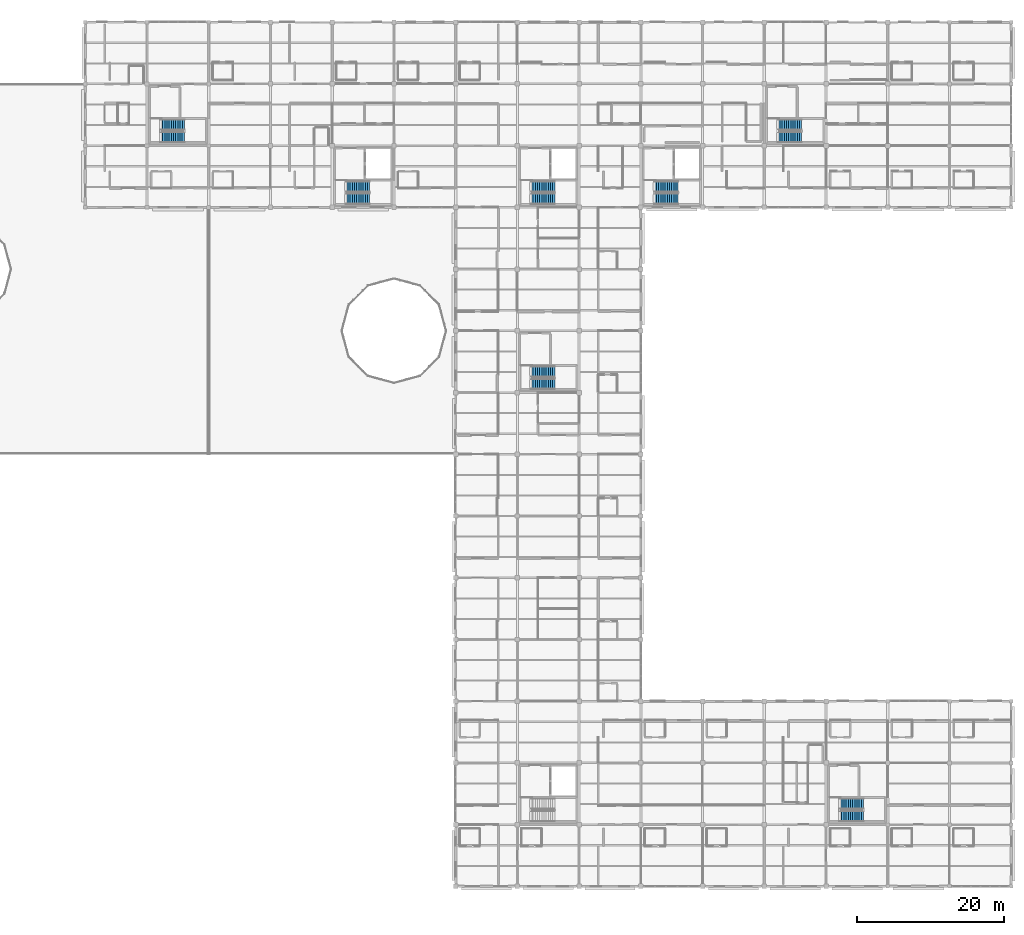
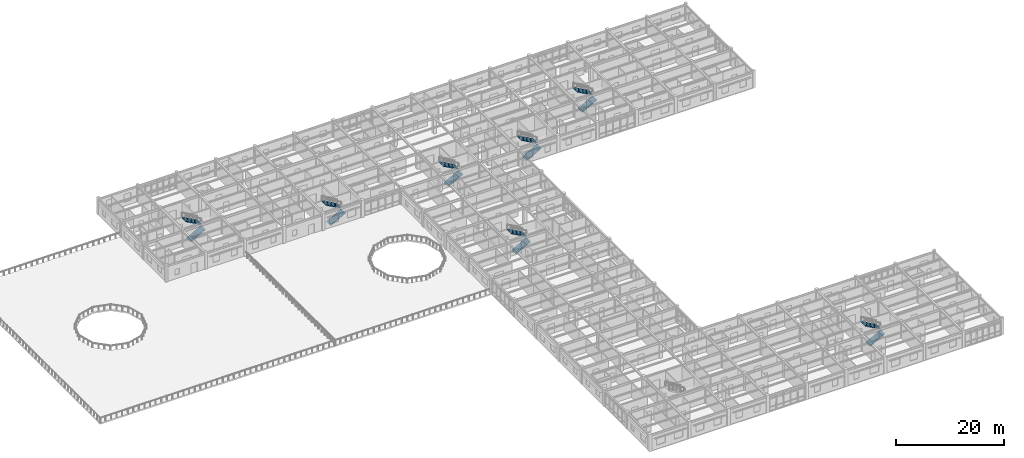
# One storey, part 71 of 86: 14 stair flights, 7 elements without a shape of their own.
"""IFC4 building model written with IfcOpenShell, lengths in metres."""

import ifcopenshell
import ifcopenshell.guid

model = None  # the IFC model being written
_history = None  # IfcOwnerHistory: only IFC2X3 demands one
_inside = {}  # id of a spatial element -> (the spatial element, [elements in it])
_under = {}  # id of a project, library or spatial element -> (it, [spatial elements below it])
_declared = {}  # id of a project -> (the project, [libraries it declares])
_typed = {}  # id of a type object -> (the type object, [elements of that type])
_made_of = {}  # id of a material, layer set ... -> (it, [elements and type objects made of it])


def new_model(schema):
    """Start an empty IFC model of exactly this schema.

    Asked for "IFC4X3", IfcOpenShell would pick the latest addendum, in which some entities
    have other attributes; the version numbers below select the first issue.
    IFC2X3 requires an IfcOwnerHistory on every rooted entity: one is made here for all.
    """
    global model, _history
    if schema == "IFC4X3":
        model = ifcopenshell.file(schema_version=(4, 3, 0, 0))
    else:
        model = ifcopenshell.file(schema=schema)
    _inside.clear()
    _under.clear()
    _declared.clear()
    _typed.clear()
    _made_of.clear()
    _history = None
    if model.schema == "IFC2X3":
        org = make("IfcOrganization", Name="unknown")
        user = make(
            "IfcPersonAndOrganization",
            ThePerson=make("IfcPerson", FamilyName="unknown"),
            TheOrganization=org,
        )
        app = make(
            "IfcApplication",
            ApplicationDeveloper=org,
            Version="unknown",
            ApplicationFullName="unknown",
            ApplicationIdentifier="unknown",
        )
        _history = make(
            "IfcOwnerHistory",
            OwningUser=user,
            OwningApplication=app,
            ChangeAction="ADDED",
            CreationDate=0,
        )
    return model


def make(cls, **values):
    """One entity of the class cls with the attributes given. An attribute that is None is left unset."""
    return model.create_entity(
        cls, **{name: value for name, value in values.items() if value is not None}
    )


def rooted(cls, **values):
    """An entity with a GlobalId (a new one), such as an element, a storey or a relation."""
    return make(cls, GlobalId=ifcopenshell.guid.new(), OwnerHistory=_history, **values)


def si_unit(unit_type, name, prefix=None):
    """IfcSIUnit, for example si_unit("LENGTHUNIT", "METRE", prefix="MILLI")."""
    return make("IfcSIUnit", UnitType=unit_type, Prefix=prefix, Name=name)


def assignment(units):
    """IfcUnitAssignment: the units of a project."""
    return None if units is None else make("IfcUnitAssignment", Units=units)


def point(xyz):
    """IfcCartesianPoint."""
    return None if xyz is None else make("IfcCartesianPoint", Coordinates=xyz)


def direction(xyz):
    """IfcDirection."""
    return None if xyz is None else make("IfcDirection", DirectionRatios=xyz)


def frame(location, z_axis=None, x_axis=None):
    """IfcAxis2Placement3D, a coordinate frame: its origin and axes. An axis left out is left unset."""
    return make(
        "IfcAxis2Placement3D",
        Location=point(location),
        Axis=direction(z_axis),
        RefDirection=direction(x_axis),
    )


def origin():
    """The frame at (0, 0, 0) with its axes left unset."""
    return frame((0.0, 0.0, 0.0))


def place(relative_to, where):
    """IfcLocalPlacement: puts the frame where relative to a parent placement (None: the world)."""
    return make(
        "IfcLocalPlacement", PlacementRelTo=relative_to, RelativePlacement=where
    )


def context(
    kind, dimensions, precision=None, world=None, true_north=None, identifier=None
):
    """IfcGeometricRepresentationContext, for example the 3D "Model" context."""
    return make(
        "IfcGeometricRepresentationContext",
        ContextIdentifier=identifier,
        ContextType=kind,
        CoordinateSpaceDimension=dimensions,
        Precision=precision,
        WorldCoordinateSystem=world,
        TrueNorth=true_north,
    )


def subcontext(parent, identifier, kind, view, scale=None):
    """IfcGeometricRepresentationSubContext, for example "Body" below "Model"."""
    return make(
        "IfcGeometricRepresentationSubContext",
        ContextIdentifier=identifier,
        ContextType=kind,
        ParentContext=parent,
        TargetScale=scale,
        TargetView=view,
    )


def project(units=None, contexts=None):
    """IfcProject with its units and contexts."""
    return rooted(
        "IfcProject",
        Name="project",
        RepresentationContexts=contexts,
        UnitsInContext=assignment(units),
    )


def spatial(cls, under=None, at=None, **own):
    """A site, building, storey or space (cls), placed at a placement, below another one or the project."""
    s = rooted(cls, ObjectPlacement=at, **own)
    if under is not None:
        _under.setdefault(under.id(), (under, []))[1].append(s)
    return s


def polyline(points):
    """IfcPolyline through the points."""
    return make("IfcPolyline", Points=[point(p) for p in points])


def outline(outer, holes=None, kind="AREA"):
    """IfcArbitraryClosedProfileDef: a profile drawn as a closed curve; with holes, ...WithVoids."""
    if holes is None:
        return make("IfcArbitraryClosedProfileDef", ProfileType=kind, OuterCurve=outer)
    return make(
        "IfcArbitraryProfileDefWithVoids",
        ProfileType=kind,
        OuterCurve=outer,
        InnerCurves=holes,
    )


def extrude(swept, where, along, depth):
    """IfcExtrudedAreaSolid: the profile swept, set in the frame where, extruded along a direction by depth."""
    return make(
        "IfcExtrudedAreaSolid",
        SweptArea=swept,
        Position=where,
        ExtrudedDirection=direction(along),
        Depth=depth,
    )


def shape(context_of_items, identifier, shape_type, items):
    """IfcShapeRepresentation: the items that make up one representation, for example the "Body"."""
    return make(
        "IfcShapeRepresentation",
        ContextOfItems=context_of_items,
        RepresentationIdentifier=identifier,
        RepresentationType=shape_type,
        Items=items,
    )


def material(Name=None, Category=None):
    """IfcMaterial."""
    return make("IfcMaterial", Name=Name, Category=Category)


def made_of(thing, what):
    """Note that an element or type object is made of a material, layer set ...; save() writes the relation."""
    if what is not None:
        _made_of.setdefault(what.id(), (what, []))[1].append(thing)
    return thing


def type_object(cls, material=None, **own):
    """A type object (cls), such as IfcWallType, which elements share."""
    return made_of(rooted(cls, **own), material)


def element(
    cls,
    number,
    at=None,
    inside=None,
    cuts=None,
    type_object=None,
    material=None,
    context=None,
    identifier="Body",
    shape_type=None,
    held_by="IfcProductDefinitionShape",
    body=None,
    shapes=None,
    **own,
):
    """One element of the class cls, such as IfcWall. Its Tag is "e" and its number.

    at: its placement. inside: the storey or other place that contains it. cuts: it is an
    opening in that element (IfcRelVoidsElement). A single representation is given by context,
    identifier, shape_type and body (its items); several are given by shapes. held_by: the class
    of the entity that holds the representations. save() writes the other relations.
    """
    e = rooted(cls, Tag="e%d" % number, ObjectPlacement=at, **own)
    if body is not None:
        shapes = [shape(context, identifier, shape_type, body)]
    if shapes is not None:
        e.Representation = make(held_by, Representations=shapes)
    if inside is not None:
        _inside.setdefault(inside.id(), (inside, []))[1].append(e)
    if cuts is not None:
        rooted(
            "IfcRelVoidsElement", RelatingBuildingElement=cuts, RelatedOpeningElement=e
        )
    if type_object is not None:
        _typed.setdefault(type_object.id(), (type_object, []))[1].append(e)
    return made_of(e, material)


def aggregate(whole, parts):
    """IfcRelAggregates: a whole, such as a stair, and the parts it consists of."""
    return rooted("IfcRelAggregates", RelatingObject=whole, RelatedObjects=parts)


def save(model, path):
    """Write the relations noted so far, then the file.

    IfcRelAggregates (storeys below a building ...), IfcRelContainedInSpatialStructure (elements
    in a storey), IfcRelDefinesByType, IfcRelAssociatesMaterial and IfcRelDeclares: one each for
    every whole, place, type object, material and project.
    """
    for whole, parts in _under.values():
        aggregate(whole, parts)
    for where, things in _inside.values():
        rooted(
            "IfcRelContainedInSpatialStructure",
            RelatedElements=things,
            RelatingStructure=where,
        )
    for kind, things in _typed.values():
        rooted("IfcRelDefinesByType", RelatedObjects=things, RelatingType=kind)
    for what, things in _made_of.values():
        rooted("IfcRelAssociatesMaterial", RelatedObjects=things, RelatingMaterial=what)
    for by, libraries in _declared.values():
        rooted("IfcRelDeclares", RelatingContext=by, RelatedDefinitions=libraries)
    model.write(path)


model = new_model("IFC4")

# Units and contexts
model_context = context("Model", 3, precision=1e-05, world=origin(), true_north=direction((0.0, 1.0)))
body_context = subcontext(model_context, "Body", "Model", "MODEL_VIEW")
ifc_project = project(units=[si_unit("LENGTHUNIT", "METRE"), si_unit("AREAUNIT", "SQUARE_METRE"), si_unit("VOLUMEUNIT", "CUBIC_METRE"), si_unit("PLANEANGLEUNIT", "RADIAN"), si_unit("MASSUNIT", "GRAM", prefix="KILO")], contexts=[model_context])

# Site, building, storey
site_placement = place(None, origin())
site = spatial("IfcSite", under=ifc_project, at=site_placement, CompositionType="ELEMENT")
building_placement = place(site_placement, origin())
building = spatial("IfcBuilding", under=site, at=building_placement, Name="Bramfleet General Hospital", CompositionType="ELEMENT")
storey_placement = place(building_placement, frame((0.0, 0.0, 18.60009765625)))
storey = spatial("IfcBuildingStorey", under=building, at=storey_placement, Name="L04", CompositionType="ELEMENT", Elevation=18.60009765625)

# Stair, stair flights
ifc_material = material(Name="Concrete C35/45", Category="concrete")
stair_type = type_object("IfcStairType", Name="STR-T4", PredefinedType="HALF_TURN_STAIR", material=ifc_material)
stair_1_placement = place(storey_placement, origin())
stair_1 = element("IfcStair", 1, at=stair_1_placement, inside=storey, type_object=stair_type, Name="L04 Core C4 (Central Spine & Helipad Trauma) Protected Escape Stair", PredefinedType="HALF_TURN_STAIR")
stair_flight_type = type_object("IfcStairFlightType", Name="STF-T4", PredefinedType="STRAIGHT", material=ifc_material)
stair_flight_1_placement = place(storey_placement, frame((102.639892578125, 93.570068359375, 0.0), z_axis=(0.0, 0.0, 1.0), x_axis=(1.0, 0.0, 0.0)))
stair_flight_1 = element("IfcStairFlight", 2, at=stair_flight_1_placement, type_object=stair_flight_type, Name="ST-C4 flight 1", NumberOfRisers=12, NumberOfTreads=11, PredefinedType="STRAIGHT", RiserHeight=0.1625, TreadLength=0.295, context=body_context, shape_type="SweptSolid", body=[
    extrude(outline(polyline([(0.0, 0.0), (0.0, 0.16259765625), (0.294921875, 0.16259765625), (0.294921875, 0.324951171875), (0.590087890625, 0.324951171875), (0.590087890625, 0.487548828125), (0.885009765625, 0.487548828125), (0.885009765625, 0.64990234375), (1.179931640625, 0.64990234375), (1.179931640625, 0.8125), (1.47509765625, 0.8125), (1.47509765625, 0.97509765625), (1.77001953125, 0.97509765625), (1.77001953125, 1.137451171875), (2.06494140625, 1.137451171875), (2.06494140625, 1.300048828125), (2.360107421875, 1.300048828125), (2.360107421875, 1.46240234375), (2.655029296875, 1.46240234375), (2.655029296875, 1.625), (2.949951171875, 1.625), (2.949951171875, 1.78759765625), (3.2451171875, 1.78759765625), (3.2451171875, 1.949951171875), (3.2451171875, 1.60498046875), (0.33154296875, 0.0), (0.0, 0.0)])), frame((0.0, 0.75, 0.0), z_axis=(0.0, -1.0, 0.0), x_axis=(1.0, 0.0, 0.0)), (0.0, 0.0, 1.0), 1.5),
])
stair_flight_2_placement = place(storey_placement, frame((105.885009765625, 95.22998046875, 1.949951171875), z_axis=(0.0, 0.0, 1.0), x_axis=(-1.0, 0.0, 0.0)))
stair_flight_2 = element("IfcStairFlight", 3, at=stair_flight_2_placement, type_object=stair_flight_type, Name="ST-C4 flight 2", NumberOfRisers=12, NumberOfTreads=11, PredefinedType="STRAIGHT", RiserHeight=0.1625, TreadLength=0.295, context=body_context, shape_type="SweptSolid", body=[
    extrude(outline(polyline([(0.0, 0.0), (0.0, 0.16259765625), (0.294921875, 0.16259765625), (0.294921875, 0.324951171875), (0.590087890625, 0.324951171875), (0.590087890625, 0.487548828125), (0.885009765625, 0.487548828125), (0.885009765625, 0.64990234375), (1.179931640625, 0.64990234375), (1.179931640625, 0.8125), (1.47509765625, 0.8125), (1.47509765625, 0.97509765625), (1.77001953125, 0.97509765625), (1.77001953125, 1.137451171875), (2.06494140625, 1.137451171875), (2.06494140625, 1.300048828125), (2.360107421875, 1.300048828125), (2.360107421875, 1.46240234375), (2.655029296875, 1.46240234375), (2.655029296875, 1.625), (2.949951171875, 1.625), (2.949951171875, 1.78759765625), (3.2451171875, 1.78759765625), (3.2451171875, 1.949951171875), (3.2451171875, 1.60498046875), (0.33154296875, 0.0), (0.0, 0.0)])), frame((0.0, 0.75, 0.0), z_axis=(0.0, -1.0, 0.0), x_axis=(1.0, 0.0, 0.0)), (0.0, 0.0, 1.0), 1.5),
])
aggregate(stair_1, [stair_flight_1, stair_flight_2])

stair_2_placement = place(storey_placement, origin())
stair_2 = element("IfcStair", 4, at=stair_2_placement, inside=storey, type_object=stair_type, Name="L04 Core C5 (North-West Ward Wing) Protected Escape Stair", PredefinedType="HALF_TURN_STAIR")
stair_flight_3_placement = place(storey_placement, frame((77.43994140625, 93.570068359375, 0.0), z_axis=(0.0, 0.0, 1.0), x_axis=(1.0, 0.0, 0.0)))
stair_flight_3 = element("IfcStairFlight", 5, at=stair_flight_3_placement, type_object=stair_flight_type, Name="ST-C5 flight 1", NumberOfRisers=12, NumberOfTreads=11, PredefinedType="STRAIGHT", RiserHeight=0.1625, TreadLength=0.295, context=body_context, shape_type="SweptSolid", body=[
    extrude(outline(polyline([(0.0, 0.0), (0.0, 0.16259765625), (0.294921875, 0.16259765625), (0.294921875, 0.324951171875), (0.590087890625, 0.324951171875), (0.590087890625, 0.487548828125), (0.885009765625, 0.487548828125), (0.885009765625, 0.64990234375), (1.179931640625, 0.64990234375), (1.179931640625, 0.8125), (1.47509765625, 0.8125), (1.47509765625, 0.97509765625), (1.77001953125, 0.97509765625), (1.77001953125, 1.137451171875), (2.06494140625, 1.137451171875), (2.06494140625, 1.300048828125), (2.360107421875, 1.300048828125), (2.360107421875, 1.46240234375), (2.655029296875, 1.46240234375), (2.655029296875, 1.625), (2.949951171875, 1.625), (2.949951171875, 1.78759765625), (3.2451171875, 1.78759765625), (3.2451171875, 1.949951171875), (3.2451171875, 1.60498046875), (0.33154296875, 0.0), (0.0, 0.0)])), frame((0.0, 0.75, 0.0), z_axis=(0.0, -1.0, 0.0), x_axis=(1.0, 0.0, 0.0)), (0.0, 0.0, 1.0), 1.5),
])
stair_flight_4_placement = place(storey_placement, frame((80.68505859375, 95.22998046875, 1.949951171875), z_axis=(0.0, 0.0, 1.0), x_axis=(-1.0, 0.0, 0.0)))
stair_flight_4 = element("IfcStairFlight", 6, at=stair_flight_4_placement, type_object=stair_flight_type, Name="ST-C5 flight 2", NumberOfRisers=12, NumberOfTreads=11, PredefinedType="STRAIGHT", RiserHeight=0.1625, TreadLength=0.295, context=body_context, shape_type="SweptSolid", body=[
    extrude(outline(polyline([(0.0, 0.0), (0.0, 0.16259765625), (0.294921875, 0.16259765625), (0.294921875, 0.324951171875), (0.590087890625, 0.324951171875), (0.590087890625, 0.487548828125), (0.885009765625, 0.487548828125), (0.885009765625, 0.64990234375), (1.179931640625, 0.64990234375), (1.179931640625, 0.8125), (1.47509765625, 0.8125), (1.47509765625, 0.97509765625), (1.77001953125, 0.97509765625), (1.77001953125, 1.137451171875), (2.06494140625, 1.137451171875), (2.06494140625, 1.300048828125), (2.360107421875, 1.300048828125), (2.360107421875, 1.46240234375), (2.655029296875, 1.46240234375), (2.655029296875, 1.625), (2.949951171875, 1.625), (2.949951171875, 1.78759765625), (3.2451171875, 1.78759765625), (3.2451171875, 1.949951171875), (3.2451171875, 1.60498046875), (0.33154296875, 0.0), (0.0, 0.0)])), frame((0.0, 0.75, 0.0), z_axis=(0.0, -1.0, 0.0), x_axis=(1.0, 0.0, 0.0)), (0.0, 0.0, 1.0), 1.5),
])
aggregate(stair_2, [stair_flight_3, stair_flight_4])

stair_3_placement = place(storey_placement, origin())
stair_3 = element("IfcStair", 7, at=stair_3_placement, inside=storey, type_object=stair_type, Name="L04 Core C6 (North-East Ward & Helipad) Protected Escape Stair", PredefinedType="HALF_TURN_STAIR")
stair_flight_5_placement = place(storey_placement, frame((119.43994140625, 93.570068359375, 0.0), z_axis=(0.0, 0.0, 1.0), x_axis=(1.0, 0.0, 0.0)))
stair_flight_5 = element("IfcStairFlight", 8, at=stair_flight_5_placement, type_object=stair_flight_type, Name="ST-C6 flight 1", NumberOfRisers=12, NumberOfTreads=11, PredefinedType="STRAIGHT", RiserHeight=0.1625, TreadLength=0.295, context=body_context, shape_type="SweptSolid", body=[
    extrude(outline(polyline([(0.0, 0.0), (0.0, 0.16259765625), (0.294921875, 0.16259765625), (0.294921875, 0.324951171875), (0.590087890625, 0.324951171875), (0.590087890625, 0.487548828125), (0.885009765625, 0.487548828125), (0.885009765625, 0.64990234375), (1.179931640625, 0.64990234375), (1.179931640625, 0.8125), (1.47509765625, 0.8125), (1.47509765625, 0.97509765625), (1.77001953125, 0.97509765625), (1.77001953125, 1.137451171875), (2.06494140625, 1.137451171875), (2.06494140625, 1.300048828125), (2.360107421875, 1.300048828125), (2.360107421875, 1.46240234375), (2.655029296875, 1.46240234375), (2.655029296875, 1.625), (2.949951171875, 1.625), (2.949951171875, 1.78759765625), (3.2451171875, 1.78759765625), (3.2451171875, 1.949951171875), (3.2451171875, 1.60498046875), (0.33154296875, 0.0), (0.0, 0.0)])), frame((0.0, 0.75, 0.0), z_axis=(0.0, -1.0, 0.0), x_axis=(1.0, 0.0, 0.0)), (0.0, 0.0, 1.0), 1.5),
])
stair_flight_6_placement = place(storey_placement, frame((122.68505859375, 95.22998046875, 1.949951171875), z_axis=(0.0, 0.0, 1.0), x_axis=(-1.0, 0.0, 0.0)))
stair_flight_6 = element("IfcStairFlight", 9, at=stair_flight_6_placement, type_object=stair_flight_type, Name="ST-C6 flight 2", NumberOfRisers=12, NumberOfTreads=11, PredefinedType="STRAIGHT", RiserHeight=0.1625, TreadLength=0.295, context=body_context, shape_type="SweptSolid", body=[
    extrude(outline(polyline([(0.0, 0.0), (0.0, 0.16259765625), (0.294921875, 0.16259765625), (0.294921875, 0.324951171875), (0.590087890625, 0.324951171875), (0.590087890625, 0.487548828125), (0.885009765625, 0.487548828125), (0.885009765625, 0.64990234375), (1.179931640625, 0.64990234375), (1.179931640625, 0.8125), (1.47509765625, 0.8125), (1.47509765625, 0.97509765625), (1.77001953125, 0.97509765625), (1.77001953125, 1.137451171875), (2.06494140625, 1.137451171875), (2.06494140625, 1.300048828125), (2.360107421875, 1.300048828125), (2.360107421875, 1.46240234375), (2.655029296875, 1.46240234375), (2.655029296875, 1.625), (2.949951171875, 1.625), (2.949951171875, 1.78759765625), (3.2451171875, 1.78759765625), (3.2451171875, 1.949951171875), (3.2451171875, 1.60498046875), (0.33154296875, 0.0), (0.0, 0.0)])), frame((0.0, 0.75, 0.0), z_axis=(0.0, -1.0, 0.0), x_axis=(1.0, 0.0, 0.0)), (0.0, 0.0, 1.0), 1.5),
])
aggregate(stair_3, [stair_flight_5, stair_flight_6])

stair_4_placement = place(storey_placement, origin())
stair_4 = element("IfcStair", 10, at=stair_4_placement, inside=storey, type_object=stair_type, Name="L04 Core C9 (North-East Ward & Diagnostic Escape) Protected Escape Stair", PredefinedType="HALF_TURN_STAIR")
stair_flight_7_placement = place(storey_placement, frame((136.239990234375, 101.969970703125, 0.0), z_axis=(0.0, 0.0, 1.0), x_axis=(1.0, 0.0, 0.0)))
stair_flight_7 = element("IfcStairFlight", 11, at=stair_flight_7_placement, type_object=stair_flight_type, Name="ST-C9 flight 1", NumberOfRisers=12, NumberOfTreads=11, PredefinedType="STRAIGHT", RiserHeight=0.1625, TreadLength=0.295, context=body_context, shape_type="SweptSolid", body=[
    extrude(outline(polyline([(0.0, 0.0), (0.0, 0.16259765625), (0.294921875, 0.16259765625), (0.294921875, 0.324951171875), (0.590087890625, 0.324951171875), (0.590087890625, 0.487548828125), (0.885009765625, 0.487548828125), (0.885009765625, 0.64990234375), (1.179931640625, 0.64990234375), (1.179931640625, 0.8125), (1.47509765625, 0.8125), (1.47509765625, 0.97509765625), (1.77001953125, 0.97509765625), (1.77001953125, 1.137451171875), (2.06494140625, 1.137451171875), (2.06494140625, 1.300048828125), (2.360107421875, 1.300048828125), (2.360107421875, 1.46240234375), (2.655029296875, 1.46240234375), (2.655029296875, 1.625), (2.949951171875, 1.625), (2.949951171875, 1.78759765625), (3.2451171875, 1.78759765625), (3.2451171875, 1.949951171875), (3.2451171875, 1.60498046875), (0.33154296875, 0.0), (0.0, 0.0)])), frame((0.0, 0.75, 0.0), z_axis=(0.0, -1.0, 0.0), x_axis=(1.0, 0.0, 0.0)), (0.0, 0.0, 1.0), 1.5),
])
stair_flight_8_placement = place(storey_placement, frame((139.485107421875, 103.6298828125, 1.949951171875), z_axis=(0.0, 0.0, 1.0), x_axis=(-1.0, 0.0, 0.0)))
stair_flight_8 = element("IfcStairFlight", 12, at=stair_flight_8_placement, type_object=stair_flight_type, Name="ST-C9 flight 2", NumberOfRisers=12, NumberOfTreads=11, PredefinedType="STRAIGHT", RiserHeight=0.1625, TreadLength=0.295, context=body_context, shape_type="SweptSolid", body=[
    extrude(outline(polyline([(0.0, 0.0), (0.0, 0.16259765625), (0.294921875, 0.16259765625), (0.294921875, 0.324951171875), (0.590087890625, 0.324951171875), (0.590087890625, 0.487548828125), (0.885009765625, 0.487548828125), (0.885009765625, 0.64990234375), (1.179931640625, 0.64990234375), (1.179931640625, 0.8125), (1.47509765625, 0.8125), (1.47509765625, 0.97509765625), (1.77001953125, 0.97509765625), (1.77001953125, 1.137451171875), (2.06494140625, 1.137451171875), (2.06494140625, 1.300048828125), (2.360107421875, 1.300048828125), (2.360107421875, 1.46240234375), (2.655029296875, 1.46240234375), (2.655029296875, 1.625), (2.949951171875, 1.625), (2.949951171875, 1.78759765625), (3.2451171875, 1.78759765625), (3.2451171875, 1.949951171875), (3.2451171875, 1.60498046875), (0.33154296875, 0.0), (0.0, 0.0)])), frame((0.0, 0.75, 0.0), z_axis=(0.0, -1.0, 0.0), x_axis=(1.0, 0.0, 0.0)), (0.0, 0.0, 1.0), 1.5),
])
aggregate(stair_4, [stair_flight_7, stair_flight_8])

stair_5_placement = place(storey_placement, origin())
stair_5 = element("IfcStair", 13, at=stair_5_placement, inside=storey, type_object=stair_type, Name="L04 Core C10 (South-East Clinic & Ward Escape) Protected Escape Stair", PredefinedType="HALF_TURN_STAIR")
stair_flight_9_placement = place(storey_placement, frame((144.639892578125, 9.570068359375, 0.0), z_axis=(0.0, 0.0, 1.0), x_axis=(1.0, 0.0, 0.0)))
stair_flight_9 = element("IfcStairFlight", 14, at=stair_flight_9_placement, type_object=stair_flight_type, Name="ST-C10 flight 1", NumberOfRisers=12, NumberOfTreads=11, PredefinedType="STRAIGHT", RiserHeight=0.1625, TreadLength=0.295, context=body_context, shape_type="SweptSolid", body=[
    extrude(outline(polyline([(0.0, 0.0), (0.0, 0.16259765625), (0.294921875, 0.16259765625), (0.294921875, 0.324951171875), (0.590087890625, 0.324951171875), (0.590087890625, 0.487548828125), (0.885009765625, 0.487548828125), (0.885009765625, 0.64990234375), (1.179931640625, 0.64990234375), (1.179931640625, 0.8125), (1.47509765625, 0.8125), (1.47509765625, 0.97509765625), (1.77001953125, 0.97509765625), (1.77001953125, 1.137451171875), (2.06494140625, 1.137451171875), (2.06494140625, 1.300048828125), (2.360107421875, 1.300048828125), (2.360107421875, 1.46240234375), (2.655029296875, 1.46240234375), (2.655029296875, 1.625), (2.949951171875, 1.625), (2.949951171875, 1.78759765625), (3.2451171875, 1.78759765625), (3.2451171875, 1.949951171875), (3.2451171875, 1.60498046875), (0.33154296875, 0.0), (0.0, 0.0)])), frame((0.0, 0.75, 0.0), z_axis=(0.0, -1.0, 0.0), x_axis=(1.0, 0.0, 0.0)), (0.0, 0.0, 1.0), 1.5),
])
stair_flight_10_placement = place(storey_placement, frame((147.885009765625, 11.22998046875, 1.949951171875), z_axis=(0.0, 0.0, 1.0), x_axis=(-1.0, 0.0, 0.0)))
stair_flight_10 = element("IfcStairFlight", 15, at=stair_flight_10_placement, type_object=stair_flight_type, Name="ST-C10 flight 2", NumberOfRisers=12, NumberOfTreads=11, PredefinedType="STRAIGHT", RiserHeight=0.1625, TreadLength=0.295, context=body_context, shape_type="SweptSolid", body=[
    extrude(outline(polyline([(0.0, 0.0), (0.0, 0.16259765625), (0.294921875, 0.16259765625), (0.294921875, 0.324951171875), (0.590087890625, 0.324951171875), (0.590087890625, 0.487548828125), (0.885009765625, 0.487548828125), (0.885009765625, 0.64990234375), (1.179931640625, 0.64990234375), (1.179931640625, 0.8125), (1.47509765625, 0.8125), (1.47509765625, 0.97509765625), (1.77001953125, 0.97509765625), (1.77001953125, 1.137451171875), (2.06494140625, 1.137451171875), (2.06494140625, 1.300048828125), (2.360107421875, 1.300048828125), (2.360107421875, 1.46240234375), (2.655029296875, 1.46240234375), (2.655029296875, 1.625), (2.949951171875, 1.625), (2.949951171875, 1.78759765625), (3.2451171875, 1.78759765625), (3.2451171875, 1.949951171875), (3.2451171875, 1.60498046875), (0.33154296875, 0.0), (0.0, 0.0)])), frame((0.0, 0.75, 0.0), z_axis=(0.0, -1.0, 0.0), x_axis=(1.0, 0.0, 0.0)), (0.0, 0.0, 1.0), 1.5),
])
aggregate(stair_5, [stair_flight_9, stair_flight_10])

stair_6_placement = place(storey_placement, origin())
stair_6 = element("IfcStair", 16, at=stair_6_placement, inside=storey, type_object=stair_type, Name="L04 Core C11 (Central Spine Escape) Protected Escape Stair", PredefinedType="HALF_TURN_STAIR")
stair_flight_11_placement = place(storey_placement, frame((102.639892578125, 68.3701171875, 0.0), z_axis=(0.0, 0.0, 1.0), x_axis=(1.0, 0.0, 0.0)))
stair_flight_11 = element("IfcStairFlight", 17, at=stair_flight_11_placement, type_object=stair_flight_type, Name="ST-C11 flight 1", NumberOfRisers=12, NumberOfTreads=11, PredefinedType="STRAIGHT", RiserHeight=0.1625, TreadLength=0.295, context=body_context, shape_type="SweptSolid", body=[
    extrude(outline(polyline([(0.0, 0.0), (0.0, 0.16259765625), (0.294921875, 0.16259765625), (0.294921875, 0.324951171875), (0.590087890625, 0.324951171875), (0.590087890625, 0.487548828125), (0.885009765625, 0.487548828125), (0.885009765625, 0.64990234375), (1.179931640625, 0.64990234375), (1.179931640625, 0.8125), (1.47509765625, 0.8125), (1.47509765625, 0.97509765625), (1.77001953125, 0.97509765625), (1.77001953125, 1.137451171875), (2.06494140625, 1.137451171875), (2.06494140625, 1.300048828125), (2.360107421875, 1.300048828125), (2.360107421875, 1.46240234375), (2.655029296875, 1.46240234375), (2.655029296875, 1.625), (2.949951171875, 1.625), (2.949951171875, 1.78759765625), (3.2451171875, 1.78759765625), (3.2451171875, 1.949951171875), (3.2451171875, 1.60498046875), (0.33154296875, 0.0), (0.0, 0.0)])), frame((0.0, 0.75, 0.0), z_axis=(0.0, -1.0, 0.0), x_axis=(1.0, 0.0, 0.0)), (0.0, 0.0, 1.0), 1.5),
])
stair_flight_12_placement = place(storey_placement, frame((105.885009765625, 70.030029296875, 1.949951171875), z_axis=(0.0, 0.0, 1.0), x_axis=(-1.0, 0.0, 0.0)))
stair_flight_12 = element("IfcStairFlight", 18, at=stair_flight_12_placement, type_object=stair_flight_type, Name="ST-C11 flight 2", NumberOfRisers=12, NumberOfTreads=11, PredefinedType="STRAIGHT", RiserHeight=0.1625, TreadLength=0.295, context=body_context, shape_type="SweptSolid", body=[
    extrude(outline(polyline([(0.0, 0.0), (0.0, 0.16259765625), (0.294921875, 0.16259765625), (0.294921875, 0.324951171875), (0.590087890625, 0.324951171875), (0.590087890625, 0.487548828125), (0.885009765625, 0.487548828125), (0.885009765625, 0.64990234375), (1.179931640625, 0.64990234375), (1.179931640625, 0.8125), (1.47509765625, 0.8125), (1.47509765625, 0.97509765625), (1.77001953125, 0.97509765625), (1.77001953125, 1.137451171875), (2.06494140625, 1.137451171875), (2.06494140625, 1.300048828125), (2.360107421875, 1.300048828125), (2.360107421875, 1.46240234375), (2.655029296875, 1.46240234375), (2.655029296875, 1.625), (2.949951171875, 1.625), (2.949951171875, 1.78759765625), (3.2451171875, 1.78759765625), (3.2451171875, 1.949951171875), (3.2451171875, 1.60498046875), (0.33154296875, 0.0), (0.0, 0.0)])), frame((0.0, 0.75, 0.0), z_axis=(0.0, -1.0, 0.0), x_axis=(1.0, 0.0, 0.0)), (0.0, 0.0, 1.0), 1.5),
])
aggregate(stair_6, [stair_flight_11, stair_flight_12])

stair_7_placement = place(storey_placement, origin())
stair_7 = element("IfcStair", 19, at=stair_7_placement, inside=storey, type_object=stair_type, Name="L04 Core C14 (West Ward Wing Escape) Protected Escape Stair", PredefinedType="HALF_TURN_STAIR")
stair_flight_13_placement = place(storey_placement, frame((52.239990234375, 101.969970703125, 0.0), z_axis=(0.0, 0.0, 1.0), x_axis=(1.0, 0.0, 0.0)))
stair_flight_13 = element("IfcStairFlight", 20, at=stair_flight_13_placement, type_object=stair_flight_type, Name="ST-C14 flight 1", NumberOfRisers=12, NumberOfTreads=11, PredefinedType="STRAIGHT", RiserHeight=0.1625, TreadLength=0.295, context=body_context, shape_type="SweptSolid", body=[
    extrude(outline(polyline([(0.0, 0.0), (0.0, 0.16259765625), (0.294921875, 0.16259765625), (0.294921875, 0.324951171875), (0.590087890625, 0.324951171875), (0.590087890625, 0.487548828125), (0.885009765625, 0.487548828125), (0.885009765625, 0.64990234375), (1.179931640625, 0.64990234375), (1.179931640625, 0.8125), (1.47509765625, 0.8125), (1.47509765625, 0.97509765625), (1.77001953125, 0.97509765625), (1.77001953125, 1.137451171875), (2.06494140625, 1.137451171875), (2.06494140625, 1.300048828125), (2.360107421875, 1.300048828125), (2.360107421875, 1.46240234375), (2.655029296875, 1.46240234375), (2.655029296875, 1.625), (2.949951171875, 1.625), (2.949951171875, 1.78759765625), (3.2451171875, 1.78759765625), (3.2451171875, 1.949951171875), (3.2451171875, 1.60498046875), (0.33154296875, 0.0), (0.0, 0.0)])), frame((0.0, 0.75, 0.0), z_axis=(0.0, -1.0, 0.0), x_axis=(1.0, 0.0, 0.0)), (0.0, 0.0, 1.0), 1.5),
])
stair_flight_14_placement = place(storey_placement, frame((55.485107421875, 103.6298828125, 1.949951171875), z_axis=(0.0, 0.0, 1.0), x_axis=(-1.0, 0.0, 0.0)))
stair_flight_14 = element("IfcStairFlight", 21, at=stair_flight_14_placement, type_object=stair_flight_type, Name="ST-C14 flight 2", NumberOfRisers=12, NumberOfTreads=11, PredefinedType="STRAIGHT", RiserHeight=0.1625, TreadLength=0.295, context=body_context, shape_type="SweptSolid", body=[
    extrude(outline(polyline([(0.0, 0.0), (0.0, 0.16259765625), (0.294921875, 0.16259765625), (0.294921875, 0.324951171875), (0.590087890625, 0.324951171875), (0.590087890625, 0.487548828125), (0.885009765625, 0.487548828125), (0.885009765625, 0.64990234375), (1.179931640625, 0.64990234375), (1.179931640625, 0.8125), (1.47509765625, 0.8125), (1.47509765625, 0.97509765625), (1.77001953125, 0.97509765625), (1.77001953125, 1.137451171875), (2.06494140625, 1.137451171875), (2.06494140625, 1.300048828125), (2.360107421875, 1.300048828125), (2.360107421875, 1.46240234375), (2.655029296875, 1.46240234375), (2.655029296875, 1.625), (2.949951171875, 1.625), (2.949951171875, 1.78759765625), (3.2451171875, 1.78759765625), (3.2451171875, 1.949951171875), (3.2451171875, 1.60498046875), (0.33154296875, 0.0), (0.0, 0.0)])), frame((0.0, 0.75, 0.0), z_axis=(0.0, -1.0, 0.0), x_axis=(1.0, 0.0, 0.0)), (0.0, 0.0, 1.0), 1.5),
])
aggregate(stair_7, [stair_flight_13, stair_flight_14])

save(model, "model.ifc")
